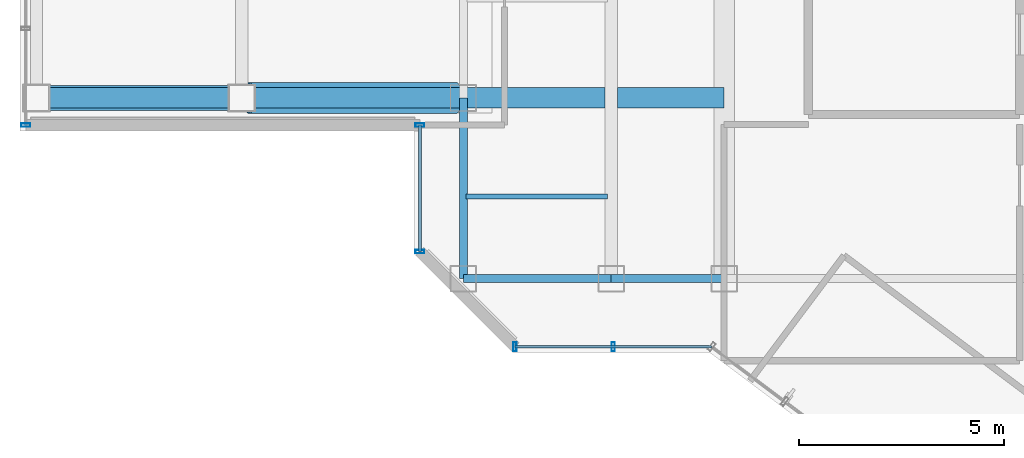
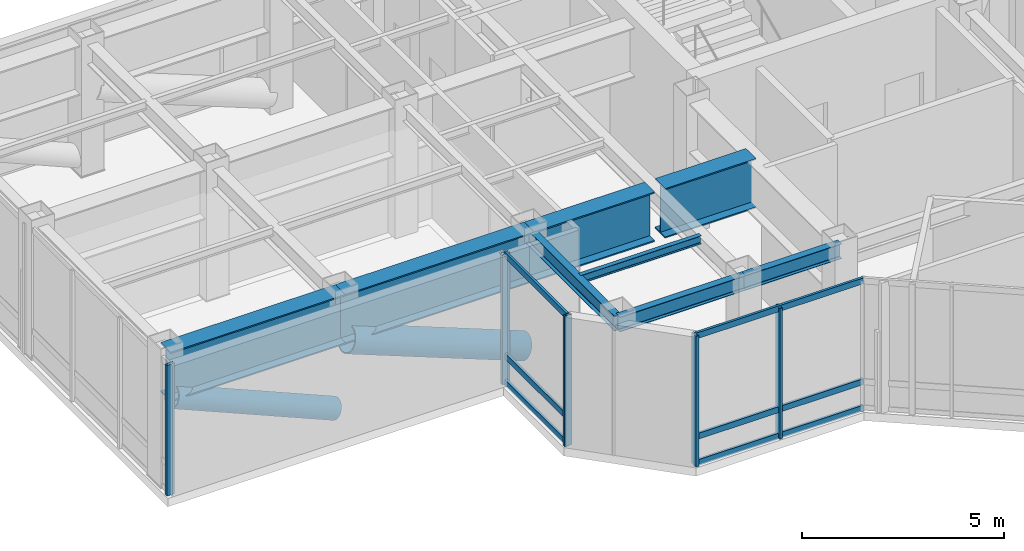
# One storey, part 2 of 22: 13 members, 8 beams, 3 elements without a shape of their own.
"""IFC4 building model written with IfcOpenShell, lengths in metres."""

from ifc_helpers import new_model, si_unit, direction, frame, origin, origin_2d, place, context, subcontext, project, spatial, hollow_rectangle, hollow_circle, i_section, extrude, material, layer, layer_set, material_profile, profile_set, type_object, element, aggregate, save


model = new_model("IFC4")

# Units and contexts
model_context = context("Model", 3, precision=1e-05, world=origin(), true_north=direction((0.0, 1.0)))
body_context = subcontext(model_context, "Body", "Model", "MODEL_VIEW")
ifc_project = project(units=[si_unit("LENGTHUNIT", "METRE"), si_unit("AREAUNIT", "SQUARE_METRE"), si_unit("VOLUMEUNIT", "CUBIC_METRE"), si_unit("PLANEANGLEUNIT", "RADIAN"), si_unit("MASSUNIT", "GRAM", prefix="KILO")], contexts=[model_context])

# Site, building, storey
site_placement = place(None, origin())
site = spatial("IfcSite", under=ifc_project, at=site_placement, CompositionType="ELEMENT")
building_placement = place(site_placement, origin())
building = spatial("IfcBuilding", under=site, at=building_placement, Name="Hatsunagi Terrace Concourse", CompositionType="ELEMENT")
storey_placement = place(building_placement, frame((0.0, 0.0, 257.550048828125)))
storey = spatial("IfcBuildingStorey", under=building, at=storey_placement, Name="L68", CompositionType="ELEMENT", Elevation=257.550048828125)

# Beam
ifc_material_1 = material(Name="Steel SN490B", Category="steel")
ifc_material_profile_1 = material_profile(ifc_material_1, i_section(OverallWidth=0.125, OverallDepth=0.25, WebThickness=0.006103515625, FlangeThickness=0.009033203125, FilletRadius=0.008056640625, at=origin_2d()), Name="H-250x125x6x9")
ifc_profile_set_1 = profile_set([ifc_material_profile_1], Name="Steel SN490B")
beam_type_1 = type_object("IfcBeamType", Name="CrownJoist_H_250x125", PredefinedType="JOIST", material=ifc_profile_set_1)
beam_1_placement = place(storey_placement, frame((19.264892578125, 27.199951171875, 3.824951171875), z_axis=(1.0, 0.0, 0.0), x_axis=(0.0, 1.0, 0.0)))
element("IfcBeam", 1, at=beam_1_placement, inside=storey, type_object=beam_type_1, Name="Beam J-04 J-L68-W-19-272", PredefinedType="JOIST", context=body_context, shape_type="SweptSolid", body=[
    extrude(i_section(OverallWidth=0.125, OverallDepth=0.25, WebThickness=0.006103515625, FlangeThickness=0.009033203125, FilletRadius=0.008056640625, at=origin_2d()), origin(), (0.0, 0.0, 1.0), 3.4501953125),
])

# Curtain wall, members
ifc_material_2 = material(Name="Anodised Aluminium Alloy 6063-T5", Category="aluminium")
ifc_layer = layer(ifc_material_2, 0.199951171875)
ifc_layer_set = layer_set([ifc_layer], Name="SkyLobbyAtrium_CW05")
curtain_wall_type = type_object("IfcCurtainWallType", Name="SkyLobbyAtrium_CW05", PredefinedType="NOTDEFINED", material=ifc_layer_set)
curtain_wall_1_placement = place(storey_placement, origin())
curtain_wall_1 = element("IfcCurtainWall", 2, at=curtain_wall_1_placement, inside=storey, type_object=curtain_wall_type, Name="Unitised Curtain Wall CW-05 CW-L68-11", PredefinedType="NOTDEFINED")
ifc_material_3 = material(Name="Anodised Aluminium Alloy 6063-T5", Category="aluminium")
ifc_material_profile_2 = material_profile(ifc_material_3, hollow_rectangle(XDim=0.080078125, YDim=0.219970703125, WallThickness=0.0048828125, at=origin_2d()), Name="ALU-MUL-220x80x5")
ifc_profile_set_2 = profile_set([ifc_material_profile_2], Name="Anodised Aluminium Alloy 6063-T5")
member_type_1 = type_object("IfcMemberType", Name="CurtainWallMullion_Heavy_220x80", PredefinedType="MULLION", material=ifc_profile_set_2)
member_1_placement = place(storey_placement, frame((22.85205078125, 23.5400390625, 0.0), z_axis=(0.0, 0.0, 1.0), x_axis=(-1.0, 0.0, 0.0)))
member_1 = element("IfcMember", 3, at=member_1_placement, type_object=member_type_1, Name="Curtain Wall Mullion MUL-01", PredefinedType="MULLION", context=body_context, shape_type="SweptSolid", body=[
    extrude(hollow_rectangle(XDim=0.080078125, YDim=0.219970703125, WallThickness=0.0048828125, at=origin_2d()), origin(), (0.0, 0.0, 1.0), 3.949951171875),
])
member_2_placement = place(storey_placement, frame((20.4580078125, 23.5400390625, 0.0), z_axis=(0.0, 0.0, 1.0), x_axis=(-1.0, 0.0, 0.0)))
member_2 = element("IfcMember", 4, at=member_2_placement, type_object=member_type_1, Name="Curtain Wall Mullion MUL-01", PredefinedType="MULLION", context=body_context, shape_type="SweptSolid", body=[
    extrude(hollow_rectangle(XDim=0.080078125, YDim=0.219970703125, WallThickness=0.0048828125, at=origin_2d()), origin(), (0.0, 0.0, 1.0), 3.949951171875),
])

curtain_wall_2_placement = place(storey_placement, origin())
curtain_wall_2 = element("IfcCurtainWall", 5, at=curtain_wall_2_placement, inside=storey, type_object=curtain_wall_type, Name="Unitised Curtain Wall CW-05 CW-L68-13", PredefinedType="NOTDEFINED")
member_3_placement = place(storey_placement, frame((18.139892578125, 25.85791015625, 0.0), z_axis=(0.0, 0.0, 1.0), x_axis=(0.0, 1.0, 0.0)))
member_3 = element("IfcMember", 6, at=member_3_placement, type_object=member_type_1, Name="Curtain Wall Mullion MUL-01", PredefinedType="MULLION", context=body_context, shape_type="SweptSolid", body=[
    extrude(hollow_rectangle(XDim=0.080078125, YDim=0.219970703125, WallThickness=0.0048828125, at=origin_2d()), origin(), (0.0, 0.0, 1.0), 3.949951171875),
])
member_4_placement = place(storey_placement, frame((18.139892578125, 28.93994140625, 0.0), z_axis=(0.0, 0.0, 1.0), x_axis=(0.0, 1.0, 0.0)))
member_4 = element("IfcMember", 7, at=member_4_placement, type_object=member_type_1, Name="Curtain Wall Mullion MUL-01", PredefinedType="MULLION", context=body_context, shape_type="SweptSolid", body=[
    extrude(hollow_rectangle(XDim=0.080078125, YDim=0.219970703125, WallThickness=0.0048828125, at=origin_2d()), origin(), (0.0, 0.0, 1.0), 3.949951171875),
])

# Curtain wall, member
curtain_wall_3_placement = place(storey_placement, origin())
curtain_wall_3 = element("IfcCurtainWall", 8, at=curtain_wall_3_placement, inside=storey, type_object=curtain_wall_type, Name="Unitised Curtain Wall CW-05 CW-L68-15", PredefinedType="NOTDEFINED")
member_5_placement = place(storey_placement, frame((8.5400390625, 28.93994140625, 0.0), z_axis=(0.0, 0.0, 1.0), x_axis=(0.0, 1.0, 0.0)))
member_5 = element("IfcMember", 9, at=member_5_placement, type_object=member_type_1, Name="Curtain Wall Mullion MUL-01", PredefinedType="MULLION", context=body_context, shape_type="SweptSolid", body=[
    extrude(hollow_rectangle(XDim=0.080078125, YDim=0.219970703125, WallThickness=0.0048828125, at=origin_2d()), origin(), (0.0, 0.0, 1.0), 3.949951171875),
])
aggregate(curtain_wall_3, [member_5])

# Member
ifc_material_4 = material(Name="Anodised Aluminium Alloy 6063-T5", Category="aluminium")
ifc_material_profile_3 = material_profile(ifc_material_4, hollow_rectangle(XDim=0.070068359375, YDim=0.179931640625, WallThickness=0.00390625, at=origin_2d()), Name="ALU-TRN-180x70x4")
ifc_profile_set_3 = profile_set([ifc_material_profile_3], Name="Anodised Aluminium Alloy 6063-T5")
member_type_2 = type_object("IfcMemberType", Name="CurtainWallTransom_Heavy_180x70", PredefinedType="USERDEFINED", material=ifc_profile_set_3)
member_6_placement = place(storey_placement, frame((25.2470703125, 23.5400390625, 0.050048828125), z_axis=(-1.0, 0.0, 0.0), x_axis=(0.0, -1.0, 0.0)))
member_6 = element("IfcMember", 10, at=member_6_placement, type_object=member_type_2, Name="Curtain Wall Transom TRN-01", ObjectType="TRANSOM", PredefinedType="USERDEFINED", context=body_context, shape_type="SweptSolid", body=[
    extrude(hollow_rectangle(XDim=0.070068359375, YDim=0.179931640625, WallThickness=0.00390625, at=origin_2d()), origin(), (0.0, 0.0, 1.0), 4.7890625),
])

member_7_placement = place(storey_placement, frame((25.2470703125, 23.5400390625, 0.849853515625), z_axis=(-1.0, 0.0, 0.0), x_axis=(0.0, -1.0, 0.0)))
member_7 = element("IfcMember", 11, at=member_7_placement, type_object=member_type_2, Name="Curtain Wall Transom TRN-01", ObjectType="TRANSOM", PredefinedType="USERDEFINED", context=body_context, shape_type="SweptSolid", body=[
    extrude(hollow_rectangle(XDim=0.070068359375, YDim=0.179931640625, WallThickness=0.00390625, at=origin_2d()), origin(), (0.0, 0.0, 1.0), 4.7890625),
])

member_8_placement = place(storey_placement, frame((25.2470703125, 23.5400390625, 3.89990234375), z_axis=(-1.0, 0.0, 0.0), x_axis=(0.0, -1.0, 0.0)))
member_8 = element("IfcMember", 12, at=member_8_placement, type_object=member_type_2, Name="Curtain Wall Transom TRN-01", ObjectType="TRANSOM", PredefinedType="USERDEFINED", context=body_context, shape_type="SweptSolid", body=[
    extrude(hollow_rectangle(XDim=0.070068359375, YDim=0.179931640625, WallThickness=0.00390625, at=origin_2d()), origin(), (0.0, 0.0, 1.0), 4.7890625),
])

aggregate(curtain_wall_1, [member_1, member_2, member_6, member_7, member_8])

member_9_placement = place(storey_placement, frame((18.139892578125, 25.85791015625, 0.050048828125), z_axis=(0.0, 1.0, 0.0), x_axis=(-1.0, 0.0, 0.0)))
member_9 = element("IfcMember", 13, at=member_9_placement, type_object=member_type_2, Name="Curtain Wall Transom TRN-01", ObjectType="TRANSOM", PredefinedType="USERDEFINED", context=body_context, shape_type="SweptSolid", body=[
    extrude(hollow_rectangle(XDim=0.070068359375, YDim=0.179931640625, WallThickness=0.00390625, at=origin_2d()), origin(), (0.0, 0.0, 1.0), 3.08203125),
])

member_10_placement = place(storey_placement, frame((18.139892578125, 25.85791015625, 0.849853515625), z_axis=(0.0, 1.0, 0.0), x_axis=(-1.0, 0.0, 0.0)))
member_10 = element("IfcMember", 14, at=member_10_placement, type_object=member_type_2, Name="Curtain Wall Transom TRN-01", ObjectType="TRANSOM", PredefinedType="USERDEFINED", context=body_context, shape_type="SweptSolid", body=[
    extrude(hollow_rectangle(XDim=0.070068359375, YDim=0.179931640625, WallThickness=0.00390625, at=origin_2d()), origin(), (0.0, 0.0, 1.0), 3.08203125),
])

member_11_placement = place(storey_placement, frame((18.139892578125, 25.85791015625, 3.89990234375), z_axis=(0.0, 1.0, 0.0), x_axis=(-1.0, 0.0, 0.0)))
member_11 = element("IfcMember", 15, at=member_11_placement, type_object=member_type_2, Name="Curtain Wall Transom TRN-01", ObjectType="TRANSOM", PredefinedType="USERDEFINED", context=body_context, shape_type="SweptSolid", body=[
    extrude(hollow_rectangle(XDim=0.070068359375, YDim=0.179931640625, WallThickness=0.00390625, at=origin_2d()), origin(), (0.0, 0.0, 1.0), 3.08203125),
])

aggregate(curtain_wall_2, [member_3, member_4, member_9, member_10, member_11])

# Beams
ifc_material_5 = material(Name="Steel SN490B", Category="steel")
ifc_material_profile_4 = material_profile(ifc_material_5, i_section(OverallWidth=0.199951171875, OverallDepth=0.449951171875, WebThickness=0.009033203125, FlangeThickness=0.013916015625, FilletRadius=0.01611328125, at=origin_2d()), Name="H-450x200x9x14")
ifc_profile_set_4 = profile_set([ifc_material_profile_4], Name="Steel SN490B")
beam_type_2 = type_object("IfcBeamType", Name="PerimeterSpandrel_H_450x200", PredefinedType="SPANDREL", material=ifc_profile_set_4)
beam_2_placement = place(storey_placement, frame((19.199951171875, 25.199951171875, 3.724853515625), z_axis=(1.0, 0.0, 0.0), x_axis=(0.0, 1.0, 0.0)))
element("IfcBeam", 16, at=beam_2_placement, inside=storey, type_object=beam_type_2, Name="Beam SP-02 BM-L68-WS-19", PredefinedType="SPANDREL", context=body_context, shape_type="SweptSolid", body=[
    extrude(i_section(OverallWidth=0.199951171875, OverallDepth=0.449951171875, WebThickness=0.009033203125, FlangeThickness=0.013916015625, FilletRadius=0.01611328125, at=origin_2d()), origin(), (0.0, 0.0, 1.0), 3.60009765625),
])
beam_3_placement = place(storey_placement, frame((22.800048828125, 25.199951171875, 3.724853515625), z_axis=(1.0, 0.0, 0.0), x_axis=(0.0, 1.0, 0.0)))
element("IfcBeam", 17, at=beam_3_placement, inside=storey, type_object=beam_type_2, Name="Beam SP-02 BM-L68-WS-22", PredefinedType="SPANDREL", context=body_context, shape_type="SweptSolid", body=[
    extrude(i_section(OverallWidth=0.199951171875, OverallDepth=0.449951171875, WebThickness=0.009033203125, FlangeThickness=0.013916015625, FilletRadius=0.01611328125, at=origin_2d()), origin(), (0.0, 0.0, 1.0), 2.75),
])
beam_4_placement = place(storey_placement, frame((19.199951171875, 25.199951171875, 3.724853515625), z_axis=(0.0, 1.0, 0.0), x_axis=(-1.0, 0.0, 0.0)))
element("IfcBeam", 18, at=beam_4_placement, inside=storey, type_object=beam_type_2, Name="Beam SP-02 BM-L68-NS-19-25", PredefinedType="SPANDREL", context=body_context, shape_type="SweptSolid", body=[
    extrude(i_section(OverallWidth=0.199951171875, OverallDepth=0.449951171875, WebThickness=0.009033203125, FlangeThickness=0.013916015625, FilletRadius=0.01611328125, at=origin_2d()), origin(), (0.0, 0.0, 1.0), 4.400146484375),
])

# Members
ifc_material_6 = material(Name="Steel SN490B", Category="steel")
ifc_material_profile_5 = material_profile(ifc_material_6, hollow_circle(Radius=0.3046875, WallThickness=0.02490234375, at=origin_2d()), Name="CHS-609.6x25")
ifc_profile_set_5 = profile_set([ifc_material_profile_5], Name="Steel SN490B")
member_type_3 = type_object("IfcMemberType", Name="SkyLoungeMidRaker_CHS_609x25", PredefinedType="STRUT", material=ifc_profile_set_5)
member_12_placement = place(storey_placement, frame((13.6201171875, 29.60009765625, 0.419921875), z_axis=(-0.91976465902, 0.0, 0.392470345399), x_axis=(0.0, -1.0, 0.0)))
element("IfcMember", 19, at=member_12_placement, inside=storey, type_object=member_type_3, Name="Sky Lounge Truss Web Strut SLS-02 #1", PredefinedType="STRUT", context=body_context, shape_type="SweptSolid", body=[
    extrude(hollow_circle(Radius=0.3046875, WallThickness=0.02490234375, at=origin_2d()), origin(), (0.0, 0.0, 1.0), 5.044921875),
])
ifc_material_7 = material(Name="Steel SN490C", Category="steel")
ifc_material_profile_6 = material_profile(ifc_material_7, hollow_circle(Radius=0.381103515625, WallThickness=0.031982421875, at=origin_2d()), Name="CHS-762x32")
ifc_profile_set_6 = profile_set([ifc_material_profile_6], Name="Steel SN490C")
member_type_4 = type_object("IfcMemberType", Name="SkyLoungeOuterRaker_CHS_762x32", PredefinedType="STRUT", material=ifc_profile_set_6)
member_13_placement = place(storey_placement, frame((19.02001953125, 29.60009765625, 0.419921875), z_axis=(-0.930753685446, 0.0, 0.365646792723), x_axis=(0.0, -1.0, 0.0)))
element("IfcMember", 20, at=member_13_placement, inside=storey, type_object=member_type_4, Name="Sky Lounge Truss Web Strut SLS-01 #1", PredefinedType="STRUT", context=body_context, shape_type="SweptSolid", body=[
    extrude(hollow_circle(Radius=0.381103515625, WallThickness=0.031982421875, at=origin_2d()), origin(), (0.0, 0.0, 1.0), 5.4150390625),
])

# Beams
ifc_material_8 = material(Name="Steel SN490C", Category="steel")
ifc_material_profile_7 = material_profile(ifc_material_8, i_section(OverallWidth=0.5, OverallDepth=1.5, WebThickness=0.028076171875, FlangeThickness=0.0380859375, at=origin_2d()), Name="BH-1500x500x28x38")
ifc_profile_set_7 = profile_set([ifc_material_profile_7], Name="Steel SN490C")
beam_type_3 = type_object("IfcBeamType", Name="SkyLoungeTrussGirder_BH_1500x500x28x38", PredefinedType="USERDEFINED", material=ifc_profile_set_7)
beam_5_placement = place(storey_placement, frame((25.550048828125, 29.60009765625, 3.199951171875), z_axis=(-1.0, 0.0, 0.0), x_axis=(0.0, -1.0, 0.0)))
element("IfcBeam", 21, at=beam_5_placement, inside=storey, type_object=beam_type_3, Name="Transfer girder SLT-01 SLT-L68-BS-1", ObjectType="TRANSFER_GIRDER", PredefinedType="USERDEFINED", context=body_context, shape_type="SweptSolid", body=[
    extrude(i_section(OverallWidth=0.5, OverallDepth=1.5, WebThickness=0.028076171875, FlangeThickness=0.0380859375, at=origin_2d()), origin(), (0.0, 0.0, 1.0), 2.60009765625),
])
beam_6_placement = place(storey_placement, frame((22.64990234375, 29.60009765625, 3.199951171875), z_axis=(-1.0, 0.0, 0.0), x_axis=(0.0, -1.0, 0.0)))
element("IfcBeam", 22, at=beam_6_placement, inside=storey, type_object=beam_type_3, Name="Transfer girder SLT-01 SLT-L68-BSW-1", ObjectType="TRANSFER_GIRDER", PredefinedType="USERDEFINED", context=body_context, shape_type="SweptSolid", body=[
    extrude(i_section(OverallWidth=0.5, OverallDepth=1.5, WebThickness=0.028076171875, FlangeThickness=0.0380859375, at=origin_2d()), origin(), (0.0, 0.0, 1.0), 3.449951171875),
])
beam_7_placement = place(storey_placement, frame((19.199951171875, 29.60009765625, 3.199951171875), z_axis=(-1.0, 0.0, 0.0), x_axis=(0.0, -1.0, 0.0)))
element("IfcBeam", 23, at=beam_7_placement, inside=storey, type_object=beam_type_3, Name="Transfer girder SLT-01 SLT-L68-C1-1", ObjectType="TRANSFER_GIRDER", PredefinedType="USERDEFINED", context=body_context, shape_type="SweptSolid", body=[
    extrude(i_section(OverallWidth=0.5, OverallDepth=1.5, WebThickness=0.028076171875, FlangeThickness=0.0380859375, at=origin_2d()), origin(), (0.0, 0.0, 1.0), 5.39990234375),
])
beam_8_placement = place(storey_placement, frame((13.800048828125, 29.60009765625, 3.199951171875), z_axis=(-1.0, 0.0, 0.0), x_axis=(0.0, -1.0, 0.0)))
element("IfcBeam", 24, at=beam_8_placement, inside=storey, type_object=beam_type_3, Name="Transfer girder SLT-01 SLT-L68-C2-1", ObjectType="TRANSFER_GIRDER", PredefinedType="USERDEFINED", context=body_context, shape_type="SweptSolid", body=[
    extrude(i_section(OverallWidth=0.5, OverallDepth=1.5, WebThickness=0.028076171875, FlangeThickness=0.0380859375, at=origin_2d()), origin(), (0.0, 0.0, 1.0), 5.0),
])

save(model, "model.ifc")
